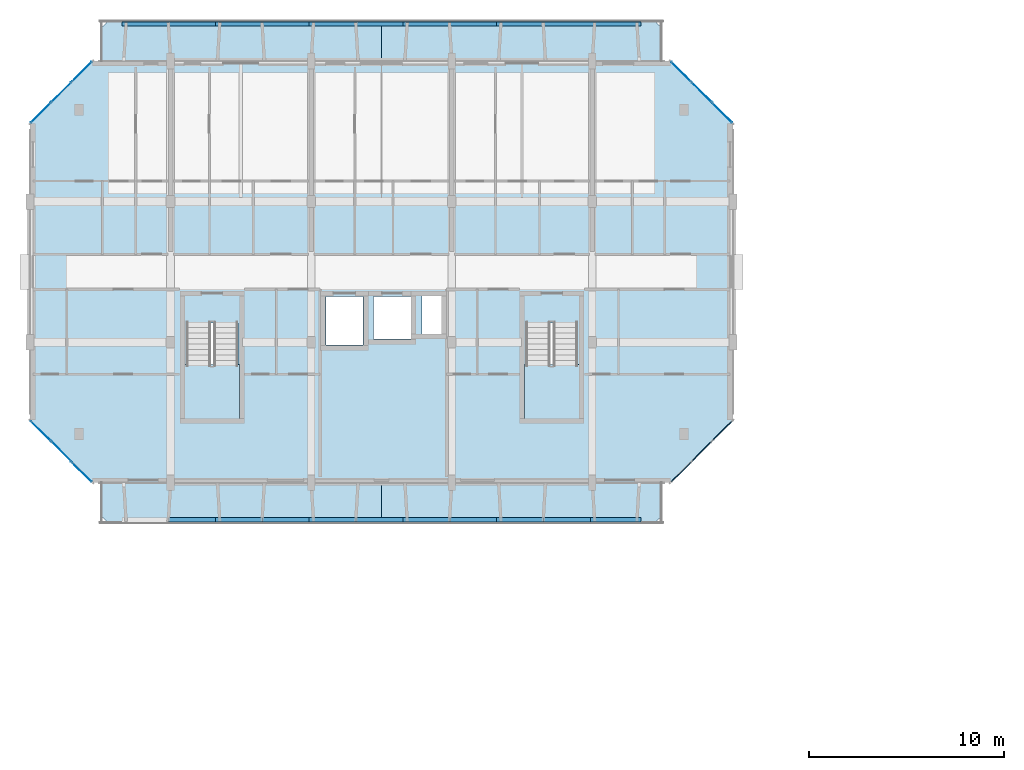
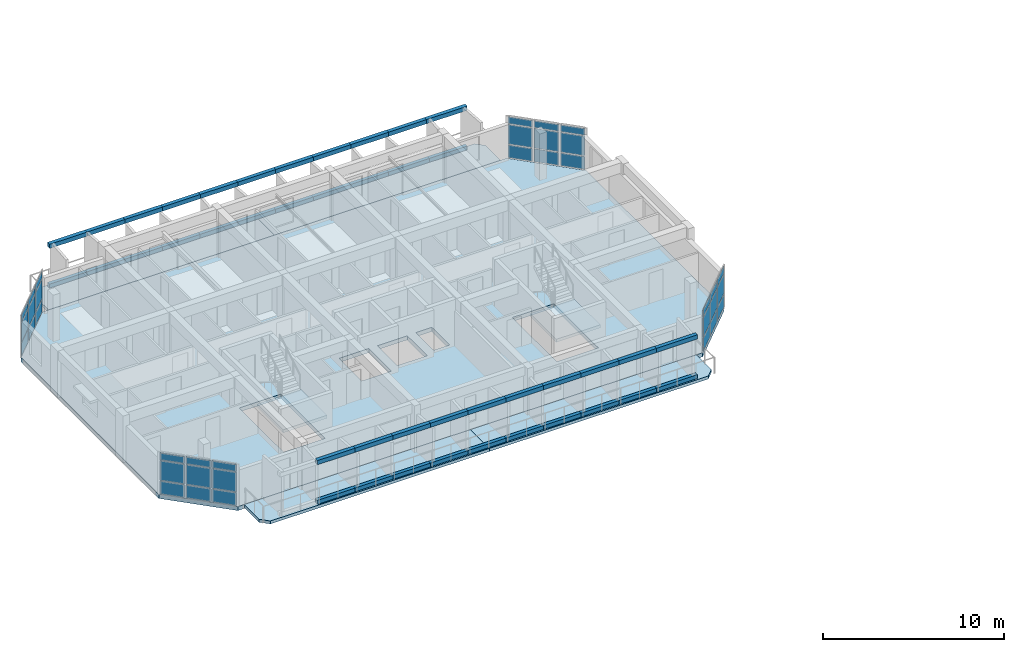
# One storey, part 12 of 44: 78 plates, 7 slabs, 6 elements without a shape of their own.
"""IFC4 building model written with IfcOpenShell, lengths in metres."""

from ifc_helpers import new_model, si_unit, direction, frame, origin, origin_2d, place, context, subcontext, project, spatial, polyline, rectangle, outline, extrude, material, layer, layer_set, type_object, element, aggregate, save


model = new_model("IFC4")

# Units and contexts
model_context = context("Model", 3, precision=1e-05, world=origin(), true_north=direction((0.0, 1.0)))
body_context = subcontext(model_context, "Body", "Model", "MODEL_VIEW")
ifc_project = project(units=[si_unit("LENGTHUNIT", "METRE"), si_unit("AREAUNIT", "SQUARE_METRE"), si_unit("VOLUMEUNIT", "CUBIC_METRE"), si_unit("PLANEANGLEUNIT", "RADIAN"), si_unit("MASSUNIT", "GRAM", prefix="KILO")], contexts=[model_context])

# Site, building, storey
site_placement = place(None, origin())
site = spatial("IfcSite", under=ifc_project, at=site_placement, CompositionType="ELEMENT")
building_placement = place(site_placement, origin())
building = spatial("IfcBuilding", under=site, at=building_placement, Name="Ochrevale Crest", CompositionType="ELEMENT")
storey_placement = place(building_placement, frame((0.0, 0.0, 21.300048828125)))
storey = spatial("IfcBuildingStorey", under=building, at=storey_placement, Name="L06", CompositionType="ELEMENT", Elevation=21.300048828125)

# Curtain wall, plates
ifc_material_1 = material(Name="Anodised aluminium 6063-T5", Category="aluminium")
ifc_layer_1 = layer(ifc_material_1, 0.14990234375)
ifc_layer_set_1 = layer_set([ifc_layer_1], Name="Anodised aluminium 6063-T5")
curtain_wall_type_1 = type_object("IfcCurtainWallType", Name="CW-WG-240x285", PredefinedType="NOTDEFINED", material=ifc_layer_set_1)
curtain_wall_1_placement = place(storey_placement, origin())
curtain_wall_1 = element("IfcCurtainWall", 1, at=curtain_wall_1_placement, inside=storey, type_object=curtain_wall_type_1, Name="Block B L06 chamfered corner wintergarden curtain wall 4", PredefinedType="NOTDEFINED")
ifc_material_2 = material(Name="Double-glazed low-E insulated glass unit", Category="glass")
ifc_layer_2 = layer(ifc_material_2, 0.028076171875)
ifc_layer_set_2 = layer_set([ifc_layer_2], Name="Double-glazed low-E insulated glass unit")
plate_type_1 = type_object("IfcPlateType", Name="CW-PNL-IGU28", PredefinedType="CURTAIN_PANEL", material=ifc_layer_set_2)
plate_1_placement = place(storey_placement, frame((35.453369140625, 90.946533203125, 0.06005859375), z_axis=(0.0, 0.0, 1.0), x_axis=(-0.707106781187, 0.707106781187, 0.0)))
plate_1 = element("IfcPlate", 2, at=plate_1_placement, type_object=plate_type_1, Name="CW15 panel 1.1", PredefinedType="CURTAIN_PANEL", context=body_context, shape_type="SweptSolid", body=[
    extrude(rectangle(XDim=1.39599609375, YDim=0.028076171875, at=origin_2d()), origin(), (0.0, 0.0, 1.0), 0.860107421875),
])
plate_2_placement = place(storey_placement, frame((35.453369140625, 90.946533203125, 0.97998046875), z_axis=(0.0, 0.0, 1.0), x_axis=(-0.707106781187, 0.707106781187, 0.0)))
plate_2 = element("IfcPlate", 3, at=plate_2_placement, type_object=plate_type_1, Name="CW15 panel 1.2", PredefinedType="CURTAIN_PANEL", context=body_context, shape_type="SweptSolid", body=[
    extrude(rectangle(XDim=1.39599609375, YDim=0.028076171875, at=origin_2d()), origin(), (0.0, 0.0, 1.0), 1.31494140625),
])
plate_3_placement = place(storey_placement, frame((35.453369140625, 90.946533203125, 2.35498046875), z_axis=(0.0, 0.0, 1.0), x_axis=(-0.707106781187, 0.707106781187, 0.0)))
plate_3 = element("IfcPlate", 4, at=plate_3_placement, type_object=plate_type_1, Name="CW15 panel 1.3", PredefinedType="CURTAIN_PANEL", context=body_context, shape_type="SweptSolid", body=[
    extrude(rectangle(XDim=1.39599609375, YDim=0.028076171875, at=origin_2d()), origin(), (0.0, 0.0, 1.0), 0.4599609375),
])
plate_4_placement = place(storey_placement, frame((34.39990234375, 92.0, 0.06005859375), z_axis=(0.0, 0.0, 1.0), x_axis=(-0.707106781187, 0.707106781187, 0.0)))
plate_4 = element("IfcPlate", 5, at=plate_4_placement, type_object=plate_type_1, Name="CW15 panel 2.1", PredefinedType="CURTAIN_PANEL", context=body_context, shape_type="SweptSolid", body=[
    extrude(rectangle(XDim=1.43359375, YDim=0.028076171875, at=origin_2d()), origin(), (0.0, 0.0, 1.0), 0.860107421875),
])
plate_5_placement = place(storey_placement, frame((34.39990234375, 92.0, 0.97998046875), z_axis=(0.0, 0.0, 1.0), x_axis=(-0.707106781187, 0.707106781187, 0.0)))
plate_5 = element("IfcPlate", 6, at=plate_5_placement, type_object=plate_type_1, Name="CW15 panel 2.2", PredefinedType="CURTAIN_PANEL", context=body_context, shape_type="SweptSolid", body=[
    extrude(rectangle(XDim=1.43359375, YDim=0.028076171875, at=origin_2d()), origin(), (0.0, 0.0, 1.0), 1.31494140625),
])
plate_6_placement = place(storey_placement, frame((34.39990234375, 92.0, 2.35498046875), z_axis=(0.0, 0.0, 1.0), x_axis=(-0.707106781187, 0.707106781187, 0.0)))
plate_6 = element("IfcPlate", 7, at=plate_6_placement, type_object=plate_type_1, Name="CW15 panel 2.3", PredefinedType="CURTAIN_PANEL", context=body_context, shape_type="SweptSolid", body=[
    extrude(rectangle(XDim=1.43359375, YDim=0.028076171875, at=origin_2d()), origin(), (0.0, 0.0, 1.0), 0.4599609375),
])
plate_7_placement = place(storey_placement, frame((33.3466796875, 93.053466796875, 0.06005859375), z_axis=(0.0, 0.0, 1.0), x_axis=(-0.707106781187, 0.707106781187, 0.0)))
plate_7 = element("IfcPlate", 8, at=plate_7_placement, type_object=plate_type_1, Name="CW15 panel 3.1", PredefinedType="CURTAIN_PANEL", context=body_context, shape_type="SweptSolid", body=[
    extrude(rectangle(XDim=1.39599609375, YDim=0.028076171875, at=origin_2d()), origin(), (0.0, 0.0, 1.0), 0.860107421875),
])
plate_8_placement = place(storey_placement, frame((33.3466796875, 93.053466796875, 0.97998046875), z_axis=(0.0, 0.0, 1.0), x_axis=(-0.707106781187, 0.707106781187, 0.0)))
plate_8 = element("IfcPlate", 9, at=plate_8_placement, type_object=plate_type_1, Name="CW15 panel 3.2", PredefinedType="CURTAIN_PANEL", context=body_context, shape_type="SweptSolid", body=[
    extrude(rectangle(XDim=1.39599609375, YDim=0.028076171875, at=origin_2d()), origin(), (0.0, 0.0, 1.0), 1.31494140625),
])
plate_9_placement = place(storey_placement, frame((33.3466796875, 93.053466796875, 2.35498046875), z_axis=(0.0, 0.0, 1.0), x_axis=(-0.707106781187, 0.707106781187, 0.0)))
plate_9 = element("IfcPlate", 10, at=plate_9_placement, type_object=plate_type_1, Name="CW15 panel 3.3", PredefinedType="CURTAIN_PANEL", context=body_context, shape_type="SweptSolid", body=[
    extrude(rectangle(XDim=1.39599609375, YDim=0.028076171875, at=origin_2d()), origin(), (0.0, 0.0, 1.0), 0.4599609375),
])
aggregate(curtain_wall_1, [plate_1, plate_2, plate_3, plate_4, plate_5, plate_6, plate_7, plate_8, plate_9])

ifc_layer_3 = layer(ifc_material_1, 0.14990234375)
ifc_layer_set_3 = layer_set([ifc_layer_3], Name="Anodised aluminium 6063-T5")
curtain_wall_type_2 = type_object("IfcCurtainWallType", Name="CW-WG-320x285", PredefinedType="NOTDEFINED", material=ifc_layer_set_3)
curtain_wall_2_placement = place(storey_placement, origin())
curtain_wall_2 = element("IfcCurtainWall", 11, at=curtain_wall_2_placement, inside=storey, type_object=curtain_wall_type_2, Name="Block B L06 chamfered corner wintergarden curtain wall 6", PredefinedType="NOTDEFINED")
plate_10_placement = place(storey_placement, frame((2.6533203125, 93.053466796875, 0.06005859375), z_axis=(0.0, 0.0, 1.0), x_axis=(-0.707106781187, -0.707106781187, 0.0)))
plate_10 = element("IfcPlate", 12, at=plate_10_placement, type_object=plate_type_1, Name="CW17 panel 1.1", PredefinedType="CURTAIN_PANEL", context=body_context, shape_type="SweptSolid", body=[
    extrude(rectangle(XDim=1.39599609375, YDim=0.028076171875, at=origin_2d()), origin(), (0.0, 0.0, 1.0), 0.860107421875),
])
plate_11_placement = place(storey_placement, frame((2.6533203125, 93.053466796875, 0.97998046875), z_axis=(0.0, 0.0, 1.0), x_axis=(-0.707106781187, -0.707106781187, 0.0)))
plate_11 = element("IfcPlate", 13, at=plate_11_placement, type_object=plate_type_1, Name="CW17 panel 1.2", PredefinedType="CURTAIN_PANEL", context=body_context, shape_type="SweptSolid", body=[
    extrude(rectangle(XDim=1.39599609375, YDim=0.028076171875, at=origin_2d()), origin(), (0.0, 0.0, 1.0), 1.31494140625),
])
plate_12_placement = place(storey_placement, frame((2.6533203125, 93.053466796875, 2.35498046875), z_axis=(0.0, 0.0, 1.0), x_axis=(-0.707106781187, -0.707106781187, 0.0)))
plate_12 = element("IfcPlate", 14, at=plate_12_placement, type_object=plate_type_1, Name="CW17 panel 1.3", PredefinedType="CURTAIN_PANEL", context=body_context, shape_type="SweptSolid", body=[
    extrude(rectangle(XDim=1.39599609375, YDim=0.028076171875, at=origin_2d()), origin(), (0.0, 0.0, 1.0), 0.4599609375),
])
plate_13_placement = place(storey_placement, frame((1.60009765625, 92.0, 0.06005859375), z_axis=(0.0, 0.0, 1.0), x_axis=(-0.707106781187, -0.707106781187, 0.0)))
plate_13 = element("IfcPlate", 15, at=plate_13_placement, type_object=plate_type_1, Name="CW17 panel 2.1", PredefinedType="CURTAIN_PANEL", context=body_context, shape_type="SweptSolid", body=[
    extrude(rectangle(XDim=1.43359375, YDim=0.028076171875, at=origin_2d()), origin(), (0.0, 0.0, 1.0), 0.860107421875),
])
plate_14_placement = place(storey_placement, frame((1.60009765625, 92.0, 0.97998046875), z_axis=(0.0, 0.0, 1.0), x_axis=(-0.707106781187, -0.707106781187, 0.0)))
plate_14 = element("IfcPlate", 16, at=plate_14_placement, type_object=plate_type_1, Name="CW17 panel 2.2", PredefinedType="CURTAIN_PANEL", context=body_context, shape_type="SweptSolid", body=[
    extrude(rectangle(XDim=1.43359375, YDim=0.028076171875, at=origin_2d()), origin(), (0.0, 0.0, 1.0), 1.31494140625),
])
plate_15_placement = place(storey_placement, frame((1.60009765625, 92.0, 2.35498046875), z_axis=(0.0, 0.0, 1.0), x_axis=(-0.707106781187, -0.707106781187, 0.0)))
plate_15 = element("IfcPlate", 17, at=plate_15_placement, type_object=plate_type_1, Name="CW17 panel 2.3", PredefinedType="CURTAIN_PANEL", context=body_context, shape_type="SweptSolid", body=[
    extrude(rectangle(XDim=1.43359375, YDim=0.028076171875, at=origin_2d()), origin(), (0.0, 0.0, 1.0), 0.4599609375),
])
plate_16_placement = place(storey_placement, frame((0.546630859375, 90.946533203125, 0.06005859375), z_axis=(0.0, 0.0, 1.0), x_axis=(-0.707106781187, -0.707106781187, 0.0)))
plate_16 = element("IfcPlate", 18, at=plate_16_placement, type_object=plate_type_1, Name="CW17 panel 3.1", PredefinedType="CURTAIN_PANEL", context=body_context, shape_type="SweptSolid", body=[
    extrude(rectangle(XDim=1.39599609375, YDim=0.028076171875, at=origin_2d()), origin(), (0.0, 0.0, 1.0), 0.860107421875),
])
plate_17_placement = place(storey_placement, frame((0.546630859375, 90.946533203125, 0.97998046875), z_axis=(0.0, 0.0, 1.0), x_axis=(-0.707106781187, -0.707106781187, 0.0)))
plate_17 = element("IfcPlate", 19, at=plate_17_placement, type_object=plate_type_1, Name="CW17 panel 3.2", PredefinedType="CURTAIN_PANEL", context=body_context, shape_type="SweptSolid", body=[
    extrude(rectangle(XDim=1.39599609375, YDim=0.028076171875, at=origin_2d()), origin(), (0.0, 0.0, 1.0), 1.31494140625),
])
plate_18_placement = place(storey_placement, frame((0.546630859375, 90.946533203125, 2.35498046875), z_axis=(0.0, 0.0, 1.0), x_axis=(-0.707106781187, -0.707106781187, 0.0)))
plate_18 = element("IfcPlate", 20, at=plate_18_placement, type_object=plate_type_1, Name="CW17 panel 3.3", PredefinedType="CURTAIN_PANEL", context=body_context, shape_type="SweptSolid", body=[
    extrude(rectangle(XDim=1.39599609375, YDim=0.028076171875, at=origin_2d()), origin(), (0.0, 0.0, 1.0), 0.4599609375),
])
aggregate(curtain_wall_2, [plate_10, plate_11, plate_12, plate_13, plate_14, plate_15, plate_16, plate_17, plate_18])

ifc_layer_4 = layer(ifc_material_1, 0.14990234375)
ifc_layer_set_4 = layer_set([ifc_layer_4], Name="Anodised aluminium 6063-T5")
curtain_wall_type_3 = type_object("IfcCurtainWallType", Name="CW-WG-420x285", PredefinedType="NOTDEFINED", material=ifc_layer_set_4)
curtain_wall_3_placement = place(storey_placement, origin())
curtain_wall_3 = element("IfcCurtainWall", 21, at=curtain_wall_3_placement, inside=storey, type_object=curtain_wall_type_3, Name="Block B L06 chamfered corner wintergarden curtain wall 8", PredefinedType="NOTDEFINED")
plate_19_placement = place(storey_placement, frame((0.546630859375, 74.6533203125, 0.06005859375), z_axis=(0.0, 0.0, 1.0), x_axis=(0.707106781187, -0.707106781187, 0.0)))
plate_19 = element("IfcPlate", 22, at=plate_19_placement, type_object=plate_type_1, Name="CW22 panel 1.1", PredefinedType="CURTAIN_PANEL", context=body_context, shape_type="SweptSolid", body=[
    extrude(rectangle(XDim=1.39599609375, YDim=0.028076171875, at=origin_2d()), origin(), (0.0, 0.0, 1.0), 0.860107421875),
])
plate_20_placement = place(storey_placement, frame((0.546630859375, 74.6533203125, 0.97998046875), z_axis=(0.0, 0.0, 1.0), x_axis=(0.707106781187, -0.707106781187, 0.0)))
plate_20 = element("IfcPlate", 23, at=plate_20_placement, type_object=plate_type_1, Name="CW22 panel 1.2", PredefinedType="CURTAIN_PANEL", context=body_context, shape_type="SweptSolid", body=[
    extrude(rectangle(XDim=1.39599609375, YDim=0.028076171875, at=origin_2d()), origin(), (0.0, 0.0, 1.0), 1.31494140625),
])
plate_21_placement = place(storey_placement, frame((0.546630859375, 74.6533203125, 2.35498046875), z_axis=(0.0, 0.0, 1.0), x_axis=(0.707106781187, -0.707106781187, 0.0)))
plate_21 = element("IfcPlate", 24, at=plate_21_placement, type_object=plate_type_1, Name="CW22 panel 1.3", PredefinedType="CURTAIN_PANEL", context=body_context, shape_type="SweptSolid", body=[
    extrude(rectangle(XDim=1.39599609375, YDim=0.028076171875, at=origin_2d()), origin(), (0.0, 0.0, 1.0), 0.4599609375),
])
plate_22_placement = place(storey_placement, frame((1.60009765625, 73.60009765625, 0.06005859375), z_axis=(0.0, 0.0, 1.0), x_axis=(0.707106781187, -0.707106781187, 0.0)))
plate_22 = element("IfcPlate", 25, at=plate_22_placement, type_object=plate_type_1, Name="CW22 panel 2.1", PredefinedType="CURTAIN_PANEL", context=body_context, shape_type="SweptSolid", body=[
    extrude(rectangle(XDim=1.43359375, YDim=0.028076171875, at=origin_2d()), origin(), (0.0, 0.0, 1.0), 0.860107421875),
])
plate_23_placement = place(storey_placement, frame((1.60009765625, 73.60009765625, 0.97998046875), z_axis=(0.0, 0.0, 1.0), x_axis=(0.707106781187, -0.707106781187, 0.0)))
plate_23 = element("IfcPlate", 26, at=plate_23_placement, type_object=plate_type_1, Name="CW22 panel 2.2", PredefinedType="CURTAIN_PANEL", context=body_context, shape_type="SweptSolid", body=[
    extrude(rectangle(XDim=1.43359375, YDim=0.028076171875, at=origin_2d()), origin(), (0.0, 0.0, 1.0), 1.31494140625),
])
plate_24_placement = place(storey_placement, frame((1.60009765625, 73.60009765625, 2.35498046875), z_axis=(0.0, 0.0, 1.0), x_axis=(0.707106781187, -0.707106781187, 0.0)))
plate_24 = element("IfcPlate", 27, at=plate_24_placement, type_object=plate_type_1, Name="CW22 panel 2.3", PredefinedType="CURTAIN_PANEL", context=body_context, shape_type="SweptSolid", body=[
    extrude(rectangle(XDim=1.43359375, YDim=0.028076171875, at=origin_2d()), origin(), (0.0, 0.0, 1.0), 0.4599609375),
])
plate_25_placement = place(storey_placement, frame((2.6533203125, 72.546630859375, 0.06005859375), z_axis=(0.0, 0.0, 1.0), x_axis=(0.707106781187, -0.707106781187, 0.0)))
plate_25 = element("IfcPlate", 28, at=plate_25_placement, type_object=plate_type_1, Name="CW22 panel 3.1", PredefinedType="CURTAIN_PANEL", context=body_context, shape_type="SweptSolid", body=[
    extrude(rectangle(XDim=1.39599609375, YDim=0.028076171875, at=origin_2d()), origin(), (0.0, 0.0, 1.0), 0.860107421875),
])
plate_26_placement = place(storey_placement, frame((2.6533203125, 72.546630859375, 0.97998046875), z_axis=(0.0, 0.0, 1.0), x_axis=(0.707106781187, -0.707106781187, 0.0)))
plate_26 = element("IfcPlate", 29, at=plate_26_placement, type_object=plate_type_1, Name="CW22 panel 3.2", PredefinedType="CURTAIN_PANEL", context=body_context, shape_type="SweptSolid", body=[
    extrude(rectangle(XDim=1.39599609375, YDim=0.028076171875, at=origin_2d()), origin(), (0.0, 0.0, 1.0), 1.31494140625),
])
plate_27_placement = place(storey_placement, frame((2.6533203125, 72.546630859375, 2.35498046875), z_axis=(0.0, 0.0, 1.0), x_axis=(0.707106781187, -0.707106781187, 0.0)))
plate_27 = element("IfcPlate", 30, at=plate_27_placement, type_object=plate_type_1, Name="CW22 panel 3.3", PredefinedType="CURTAIN_PANEL", context=body_context, shape_type="SweptSolid", body=[
    extrude(rectangle(XDim=1.39599609375, YDim=0.028076171875, at=origin_2d()), origin(), (0.0, 0.0, 1.0), 0.4599609375),
])
aggregate(curtain_wall_3, [plate_19, plate_20, plate_21, plate_22, plate_23, plate_24, plate_25, plate_26, plate_27])

ifc_layer_5 = layer(ifc_material_1, 0.14990234375)
ifc_layer_set_5 = layer_set([ifc_layer_5], Name="Anodised aluminium 6063-T5")
curtain_wall_type_4 = type_object("IfcCurtainWallType", Name="CW-WG-360x285", PredefinedType="NOTDEFINED", material=ifc_layer_set_5)
curtain_wall_4_placement = place(storey_placement, origin())
curtain_wall_4 = element("IfcCurtainWall", 31, at=curtain_wall_4_placement, inside=storey, type_object=curtain_wall_type_4, Name="Block B L06 chamfered corner wintergarden curtain wall 2", PredefinedType="NOTDEFINED")
ifc_material_3 = material(Name="Acoustic laminated low-E insulated glass unit", Category="glass")
ifc_layer_6 = layer(ifc_material_3, 0.0380859375)
ifc_layer_set_6 = layer_set([ifc_layer_6], Name="Acoustic laminated low-E insulated glass unit")
plate_type_2 = type_object("IfcPlateType", Name="CW-PNL-IGU38", PredefinedType="CURTAIN_PANEL", material=ifc_layer_set_6)
plate_28_placement = place(storey_placement, frame((33.3466796875, 72.546630859375, 0.06005859375), z_axis=(0.0, 0.0, 1.0), x_axis=(0.707106781187, 0.707106781187, 0.0)))
plate_28 = element("IfcPlate", 32, at=plate_28_placement, type_object=plate_type_2, Name="CW18 panel 1.1", PredefinedType="CURTAIN_PANEL", context=body_context, shape_type="SweptSolid", body=[
    extrude(rectangle(XDim=1.39599609375, YDim=0.0380859375, at=origin_2d()), origin(), (0.0, 0.0, 1.0), 0.860107421875),
])
plate_29_placement = place(storey_placement, frame((33.3466796875, 72.546630859375, 0.97998046875), z_axis=(0.0, 0.0, 1.0), x_axis=(0.707106781187, 0.707106781187, 0.0)))
plate_29 = element("IfcPlate", 33, at=plate_29_placement, type_object=plate_type_2, Name="CW18 panel 1.2", PredefinedType="CURTAIN_PANEL", context=body_context, shape_type="SweptSolid", body=[
    extrude(rectangle(XDim=1.39599609375, YDim=0.0380859375, at=origin_2d()), origin(), (0.0, 0.0, 1.0), 1.31494140625),
])
plate_30_placement = place(storey_placement, frame((33.3466796875, 72.546630859375, 2.35498046875), z_axis=(0.0, 0.0, 1.0), x_axis=(0.707106781187, 0.707106781187, 0.0)))
plate_30 = element("IfcPlate", 34, at=plate_30_placement, type_object=plate_type_2, Name="CW18 panel 1.3", PredefinedType="CURTAIN_PANEL", context=body_context, shape_type="SweptSolid", body=[
    extrude(rectangle(XDim=1.39599609375, YDim=0.0380859375, at=origin_2d()), origin(), (0.0, 0.0, 1.0), 0.4599609375),
])
plate_31_placement = place(storey_placement, frame((34.39990234375, 73.60009765625, 0.06005859375), z_axis=(0.0, 0.0, 1.0), x_axis=(0.707106781187, 0.707106781187, 0.0)))
plate_31 = element("IfcPlate", 35, at=plate_31_placement, type_object=plate_type_2, Name="CW18 panel 2.1", PredefinedType="CURTAIN_PANEL", context=body_context, shape_type="SweptSolid", body=[
    extrude(rectangle(XDim=1.43359375, YDim=0.0380859375, at=origin_2d()), origin(), (0.0, 0.0, 1.0), 0.860107421875),
])
plate_32_placement = place(storey_placement, frame((34.39990234375, 73.60009765625, 0.97998046875), z_axis=(0.0, 0.0, 1.0), x_axis=(0.707106781187, 0.707106781187, 0.0)))
plate_32 = element("IfcPlate", 36, at=plate_32_placement, type_object=plate_type_2, Name="CW18 panel 2.2", PredefinedType="CURTAIN_PANEL", context=body_context, shape_type="SweptSolid", body=[
    extrude(rectangle(XDim=1.43359375, YDim=0.0380859375, at=origin_2d()), origin(), (0.0, 0.0, 1.0), 1.31494140625),
])
plate_33_placement = place(storey_placement, frame((34.39990234375, 73.60009765625, 2.35498046875), z_axis=(0.0, 0.0, 1.0), x_axis=(0.707106781187, 0.707106781187, 0.0)))
plate_33 = element("IfcPlate", 37, at=plate_33_placement, type_object=plate_type_2, Name="CW18 panel 2.3", PredefinedType="CURTAIN_PANEL", context=body_context, shape_type="SweptSolid", body=[
    extrude(rectangle(XDim=1.43359375, YDim=0.0380859375, at=origin_2d()), origin(), (0.0, 0.0, 1.0), 0.4599609375),
])
plate_34_placement = place(storey_placement, frame((35.453369140625, 74.6533203125, 0.06005859375), z_axis=(0.0, 0.0, 1.0), x_axis=(0.707106781187, 0.707106781187, 0.0)))
plate_34 = element("IfcPlate", 38, at=plate_34_placement, type_object=plate_type_2, Name="CW18 panel 3.1", PredefinedType="CURTAIN_PANEL", context=body_context, shape_type="SweptSolid", body=[
    extrude(rectangle(XDim=1.39599609375, YDim=0.0380859375, at=origin_2d()), origin(), (0.0, 0.0, 1.0), 0.860107421875),
])
plate_35_placement = place(storey_placement, frame((35.453369140625, 74.6533203125, 0.97998046875), z_axis=(0.0, 0.0, 1.0), x_axis=(0.707106781187, 0.707106781187, 0.0)))
plate_35 = element("IfcPlate", 39, at=plate_35_placement, type_object=plate_type_2, Name="CW18 panel 3.2", PredefinedType="CURTAIN_PANEL", context=body_context, shape_type="SweptSolid", body=[
    extrude(rectangle(XDim=1.39599609375, YDim=0.0380859375, at=origin_2d()), origin(), (0.0, 0.0, 1.0), 1.31494140625),
])
plate_36_placement = place(storey_placement, frame((35.453369140625, 74.6533203125, 2.35498046875), z_axis=(0.0, 0.0, 1.0), x_axis=(0.707106781187, 0.707106781187, 0.0)))
plate_36 = element("IfcPlate", 40, at=plate_36_placement, type_object=plate_type_2, Name="CW18 panel 3.3", PredefinedType="CURTAIN_PANEL", context=body_context, shape_type="SweptSolid", body=[
    extrude(rectangle(XDim=1.39599609375, YDim=0.0380859375, at=origin_2d()), origin(), (0.0, 0.0, 1.0), 0.4599609375),
])
aggregate(curtain_wall_4, [plate_28, plate_29, plate_30, plate_31, plate_32, plate_33, plate_34, plate_35, plate_36])

# Plates
ifc_material_4 = material(Name="Precast concrete C40/50", Category="concrete")
ifc_layer_7 = layer(ifc_material_4, 0.06005859375)
ifc_layer_set_7 = layer_set([ifc_layer_7], Name="Precast concrete C40/50")
plate_type_3 = type_object("IfcPlateType", Name="PLT-HC-HEAD-60", PredefinedType="USERDEFINED", material=ifc_layer_set_7)
for number, where, z_axis, x_axis, name in (
    (41, (8.39990234375, 70.10009765625, 2.669921875), (0.0, 0.0, 1.0), (1.0, 0.0, 0.0), "Block B L06 S honeycomb arched lintel fascia 2"),
    (42, (10.800048828125, 70.10009765625, 2.669921875), (0.0, 0.0, 1.0), (1.0, 0.0, 0.0), "Block B L06 S honeycomb arched lintel fascia 3"),
    (43, (13.199951171875, 70.10009765625, 2.669921875), (0.0, 0.0, 1.0), (1.0, 0.0, 0.0), "Block B L06 S honeycomb arched lintel fascia 4"),
    (44, (15.60009765625, 70.10009765625, 2.669921875), (0.0, 0.0, 1.0), (1.0, 0.0, 0.0), "Block B L06 S honeycomb arched lintel fascia 5"),
    (45, (18.0, 70.10009765625, 2.669921875), (0.0, 0.0, 1.0), (1.0, 0.0, 0.0), "Block B L06 S honeycomb arched lintel fascia 6"),
    (46, (20.39990234375, 70.10009765625, 2.669921875), (0.0, 0.0, 1.0), (1.0, 0.0, 0.0), "Block B L06 S honeycomb arched lintel fascia 7"),
    (47, (22.800048828125, 70.10009765625, 2.669921875), (0.0, 0.0, 1.0), (1.0, 0.0, 0.0), "Block B L06 S honeycomb arched lintel fascia 8"),
    (48, (25.199951171875, 70.10009765625, 2.669921875), (0.0, 0.0, 1.0), (1.0, 0.0, 0.0), "Block B L06 S honeycomb arched lintel fascia 9"),
    (49, (27.60009765625, 70.10009765625, 2.669921875), (0.0, 0.0, 1.0), (1.0, 0.0, 0.0), "Block B L06 S honeycomb arched lintel fascia 10"),
    (50, (30.0, 70.10009765625, 2.669921875), (0.0, 0.0, 1.0), (1.0, 0.0, 0.0), "Block B L06 S honeycomb arched lintel fascia 11"),
    (51, (6.0, 95.5, 2.669921875), (0.0, 0.0, 1.0), (1.0, 0.0, 0.0), "Block B L06 N honeycomb arched lintel fascia 1"),
    (52, (8.39990234375, 95.5, 2.669921875), (0.0, 0.0, 1.0), (1.0, 0.0, 0.0), "Block B L06 N honeycomb arched lintel fascia 2"),
    (53, (10.800048828125, 95.5, 2.669921875), (0.0, 0.0, 1.0), (1.0, 0.0, 0.0), "Block B L06 N honeycomb arched lintel fascia 3"),
    (54, (13.199951171875, 95.5, 2.669921875), (0.0, 0.0, 1.0), (1.0, 0.0, 0.0), "Block B L06 N honeycomb arched lintel fascia 4"),
    (55, (15.60009765625, 95.5, 2.669921875), (0.0, 0.0, 1.0), (1.0, 0.0, 0.0), "Block B L06 N honeycomb arched lintel fascia 5"),
    (56, (18.0, 95.5, 2.669921875), (0.0, 0.0, 1.0), (1.0, 0.0, 0.0), "Block B L06 N honeycomb arched lintel fascia 6"),
    (57, (20.39990234375, 95.5, 2.669921875), (0.0, 0.0, 1.0), (1.0, 0.0, 0.0), "Block B L06 N honeycomb arched lintel fascia 7"),
    (58, (22.800048828125, 95.5, 2.669921875), (0.0, 0.0, 1.0), (1.0, 0.0, 0.0), "Block B L06 N honeycomb arched lintel fascia 8"),
    (59, (25.199951171875, 95.5, 2.669921875), (0.0, 0.0, 1.0), (1.0, 0.0, 0.0), "Block B L06 N honeycomb arched lintel fascia 9"),
    (60, (27.60009765625, 95.5, 2.669921875), (0.0, 0.0, 1.0), (1.0, 0.0, 0.0), "Block B L06 N honeycomb arched lintel fascia 10"),
    (61, (30.0, 95.5, 2.669921875), (0.0, 0.0, 1.0), (1.0, 0.0, 0.0), "Block B L06 N honeycomb arched lintel fascia 11"),
):
    element("IfcPlate", number, at=place(storey_placement, frame(where, z_axis=z_axis, x_axis=x_axis)), inside=storey, type_object=plate_type_3, Name=name, ObjectType="FACADE FASCIA PLATE", PredefinedType="USERDEFINED", context=body_context, shape_type="SweptSolid", body=[
        extrude(rectangle(XDim=2.60009765625, YDim=0.239990234375, at=origin_2d()), origin(), (0.0, 0.0, 1.0), 0.280029296875),
    ])
ifc_layer_8 = layer(ifc_material_4, 0.044921875)
ifc_layer_set_8 = layer_set([ifc_layer_8], Name="Precast concrete C40/50")
plate_type_4 = type_object("IfcPlateType", Name="PLT-HC-SILL-45", PredefinedType="USERDEFINED", material=ifc_layer_set_8)
for number, where, z_axis, x_axis, name in (
    (62, (8.39990234375, 70.10009765625, 0.0), (0.0, 0.0, 1.0), (1.0, 0.0, 0.0), "Block B L06 S honeycomb sill coping plate 2"),
    (63, (10.800048828125, 70.10009765625, 0.0), (0.0, 0.0, 1.0), (1.0, 0.0, 0.0), "Block B L06 S honeycomb sill coping plate 3"),
    (64, (13.199951171875, 70.10009765625, 0.0), (0.0, 0.0, 1.0), (1.0, 0.0, 0.0), "Block B L06 S honeycomb sill coping plate 4"),
    (65, (15.60009765625, 70.10009765625, 0.0), (0.0, 0.0, 1.0), (1.0, 0.0, 0.0), "Block B L06 S honeycomb sill coping plate 5"),
    (66, (18.0, 70.10009765625, 0.0), (0.0, 0.0, 1.0), (1.0, 0.0, 0.0), "Block B L06 S honeycomb sill coping plate 6"),
    (67, (20.39990234375, 70.10009765625, 0.0), (0.0, 0.0, 1.0), (1.0, 0.0, 0.0), "Block B L06 S honeycomb sill coping plate 7"),
    (68, (22.800048828125, 70.10009765625, 0.0), (0.0, 0.0, 1.0), (1.0, 0.0, 0.0), "Block B L06 S honeycomb sill coping plate 8"),
    (69, (25.199951171875, 70.10009765625, 0.0), (0.0, 0.0, 1.0), (1.0, 0.0, 0.0), "Block B L06 S honeycomb sill coping plate 9"),
    (70, (27.60009765625, 70.10009765625, 0.0), (0.0, 0.0, 1.0), (1.0, 0.0, 0.0), "Block B L06 S honeycomb sill coping plate 10"),
    (71, (30.0, 70.10009765625, 0.0), (0.0, 0.0, 1.0), (1.0, 0.0, 0.0), "Block B L06 S honeycomb sill coping plate 11"),
    (72, (6.0, 95.5, 0.0), (0.0, 0.0, 1.0), (1.0, 0.0, 0.0), "Block B L06 N honeycomb sill coping plate 1"),
    (73, (8.39990234375, 95.5, 0.0), (0.0, 0.0, 1.0), (1.0, 0.0, 0.0), "Block B L06 N honeycomb sill coping plate 2"),
    (74, (10.800048828125, 95.5, 0.0), (0.0, 0.0, 1.0), (1.0, 0.0, 0.0), "Block B L06 N honeycomb sill coping plate 3"),
    (75, (13.199951171875, 95.5, 0.0), (0.0, 0.0, 1.0), (1.0, 0.0, 0.0), "Block B L06 N honeycomb sill coping plate 4"),
    (76, (15.60009765625, 95.5, 0.0), (0.0, 0.0, 1.0), (1.0, 0.0, 0.0), "Block B L06 N honeycomb sill coping plate 5"),
    (77, (18.0, 95.5, 0.0), (0.0, 0.0, 1.0), (1.0, 0.0, 0.0), "Block B L06 N honeycomb sill coping plate 6"),
    (78, (20.39990234375, 95.5, 0.0), (0.0, 0.0, 1.0), (1.0, 0.0, 0.0), "Block B L06 N honeycomb sill coping plate 7"),
    (79, (22.800048828125, 95.5, 0.0), (0.0, 0.0, 1.0), (1.0, 0.0, 0.0), "Block B L06 N honeycomb sill coping plate 8"),
    (80, (25.199951171875, 95.5, 0.0), (0.0, 0.0, 1.0), (1.0, 0.0, 0.0), "Block B L06 N honeycomb sill coping plate 9"),
    (81, (27.60009765625, 95.5, 0.0), (0.0, 0.0, 1.0), (1.0, 0.0, 0.0), "Block B L06 N honeycomb sill coping plate 10"),
    (82, (30.0, 95.5, 0.0), (0.0, 0.0, 1.0), (1.0, 0.0, 0.0), "Block B L06 N honeycomb sill coping plate 11"),
):
    element("IfcPlate", number, at=place(storey_placement, frame(where, z_axis=z_axis, x_axis=x_axis)), inside=storey, type_object=plate_type_4, Name=name, ObjectType="SILL COPING PLATE", PredefinedType="USERDEFINED", context=body_context, shape_type="SweptSolid", body=[
        extrude(rectangle(XDim=2.60009765625, YDim=0.219970703125, at=origin_2d()), origin(), (0.0, 0.0, 1.0), 0.260009765625),
    ])

# Slabs
ifc_layer_9 = layer(ifc_material_4, 0.199951171875)
ifc_layer_set_9 = layer_set([ifc_layer_9], Name="Precast concrete C40/50")
slab_type_1 = type_object("IfcSlabType", Name="SLB-BAL-200", PredefinedType="FLOOR", material=ifc_layer_set_9)
slab_1_placement = place(storey_placement, frame((0.0, 0.0, -0.199951171875)))
element("IfcSlab", 83, at=slab_1_placement, inside=storey, type_object=slab_type_1, Name="Block B L06 S1 precast loggia balcony slab", PredefinedType="FLOOR", context=body_context, shape_type="SweptSolid", body=[
    extrude(outline(polyline([(4.050048828125, 69.89990234375), (18.0, 69.89990234375), (18.0, 72.0), (3.60009765625, 72.0), (3.60009765625, 70.35009765625), (4.050048828125, 69.89990234375)])), origin(), (0.0, 0.0, 1.0), 0.199951171875),
])
slab_2_placement = place(storey_placement, frame((0.0, 0.0, -0.199951171875)))
element("IfcSlab", 84, at=slab_2_placement, inside=storey, type_object=slab_type_1, Name="Block B L06 S2 precast loggia balcony slab", PredefinedType="FLOOR", context=body_context, shape_type="SweptSolid", body=[
    extrude(outline(polyline([(18.0, 69.89990234375), (31.949951171875, 69.89990234375), (32.39990234375, 70.35009765625), (32.39990234375, 72.0), (18.0, 72.0), (18.0, 69.89990234375)])), origin(), (0.0, 0.0, 1.0), 0.199951171875),
])
slab_3_placement = place(storey_placement, frame((0.0, 0.0, -0.199951171875)))
element("IfcSlab", 85, at=slab_3_placement, inside=storey, type_object=slab_type_1, Name="Block B L06 N1 precast loggia balcony slab", PredefinedType="FLOOR", context=body_context, shape_type="SweptSolid", body=[
    extrude(outline(polyline([(3.60009765625, 93.60009765625), (18.0, 93.60009765625), (18.0, 95.699951171875), (4.050048828125, 95.699951171875), (3.60009765625, 95.25), (3.60009765625, 93.60009765625)])), origin(), (0.0, 0.0, 1.0), 0.199951171875),
])
slab_4_placement = place(storey_placement, frame((0.0, 0.0, -0.199951171875)))
element("IfcSlab", 86, at=slab_4_placement, inside=storey, type_object=slab_type_1, Name="Block B L06 N2 precast loggia balcony slab", PredefinedType="FLOOR", context=body_context, shape_type="SweptSolid", body=[
    extrude(outline(polyline([(18.0, 93.60009765625), (32.39990234375, 93.60009765625), (32.39990234375, 95.25), (31.949951171875, 95.699951171875), (18.0, 95.699951171875), (18.0, 93.60009765625)])), origin(), (0.0, 0.0, 1.0), 0.199951171875),
])
ifc_layer_10 = layer(ifc_material_4, 0.27490234375)
ifc_layer_set_10 = layer_set([ifc_layer_10], Name="Precast concrete C40/50")
slab_type_2 = type_object("IfcSlabType", Name="SLB-RES-275", PredefinedType="FLOOR", material=ifc_layer_set_10)
slab_5_placement = place(storey_placement, frame((0.0, 0.0, -0.275146484375)))
element("IfcSlab", 87, at=slab_5_placement, inside=storey, type_object=slab_type_2, Name="Block B L06 composite hollowcore floor slab", PredefinedType="FLOOR", context=body_context, shape_type="SweptSolid", body=[
    extrude(outline(polyline([(3.199951171875, 72.0), (32.800048828125, 72.0), (36.0, 75.199951171875), (36.0, 90.39990234375), (32.800048828125, 93.60009765625), (3.199951171875, 93.60009765625), (0.0, 90.39990234375), (0.0, 75.199951171875), (3.199951171875, 72.0)]), holes=[polyline([(8.0, 80.175048828125), (8.0, 75.27490234375), (10.64990234375, 75.27490234375), (10.64990234375, 80.175048828125), (8.0, 80.175048828125)]), polyline([(25.39990234375, 80.175048828125), (25.39990234375, 75.27490234375), (28.050048828125, 75.27490234375), (28.050048828125, 80.175048828125), (25.39990234375, 80.175048828125)]), polyline([(15.14990234375, 79.050048828125), (17.050048828125, 79.050048828125), (17.050048828125, 81.550048828125), (15.14990234375, 81.550048828125), (15.14990234375, 79.050048828125)]), polyline([(17.60009765625, 79.35009765625), (19.5, 79.35009765625), (19.5, 81.550048828125), (17.60009765625, 81.550048828125), (17.60009765625, 79.35009765625)]), polyline([(20.070068359375, 79.6201171875), (21.080078125, 79.6201171875), (21.080078125, 81.580078125), (20.070068359375, 81.580078125), (20.070068359375, 79.6201171875)])]), origin(), (0.0, 0.0, 1.0), 0.275146484375),
])

# Stair, slab
stair_type = type_object("IfcStairType", Name="ST-CORE-DOG", PredefinedType="HALF_TURN_STAIR", material=ifc_material_4)
stair_1_placement = place(storey_placement, origin())
stair_1 = element("IfcStair", 88, at=stair_1_placement, inside=storey, type_object=stair_type, Name="L06 Block B Fire Stair 1", PredefinedType="HALF_TURN_STAIR")
ifc_layer_11 = layer(ifc_material_4, 0.199951171875)
ifc_layer_set_11 = layer_set([ifc_layer_11], Name="Precast concrete C40/50")
slab_type_3 = type_object("IfcSlabType", Name="SLB-ST-LAND", PredefinedType="LANDING", material=ifc_layer_set_11)
slab_6_placement = place(storey_placement, frame((0.0, 0.0, 1.375)))
slab_6 = element("IfcSlab", 89, at=slab_6_placement, type_object=slab_type_3, Name="ST-B1 landing 1", PredefinedType="LANDING", context=body_context, shape_type="SweptSolid", body=[
    extrude(outline(polyline([(7.919921875, 78.06494140625), (7.919921875, 75.195068359375), (10.72998046875, 75.195068359375), (10.72998046875, 78.06494140625), (7.919921875, 78.06494140625)])), origin(), (0.0, 0.0, 1.0), 0.199951171875),
])
aggregate(stair_1, [slab_6])

stair_2_placement = place(storey_placement, origin())
stair_2 = element("IfcStair", 90, at=stair_2_placement, inside=storey, type_object=stair_type, Name="L06 Block B Fire Stair 2", PredefinedType="HALF_TURN_STAIR")
slab_7_placement = place(storey_placement, frame((0.0, 0.0, 1.375)))
slab_7 = element("IfcSlab", 91, at=slab_7_placement, type_object=slab_type_3, Name="ST-B2 landing 1", PredefinedType="LANDING", context=body_context, shape_type="SweptSolid", body=[
    extrude(outline(polyline([(25.320068359375, 78.06494140625), (25.320068359375, 75.195068359375), (28.1298828125, 75.195068359375), (28.1298828125, 78.06494140625), (25.320068359375, 78.06494140625)])), origin(), (0.0, 0.0, 1.0), 0.199951171875),
])
aggregate(stair_2, [slab_7])

save(model, "model.ifc")
